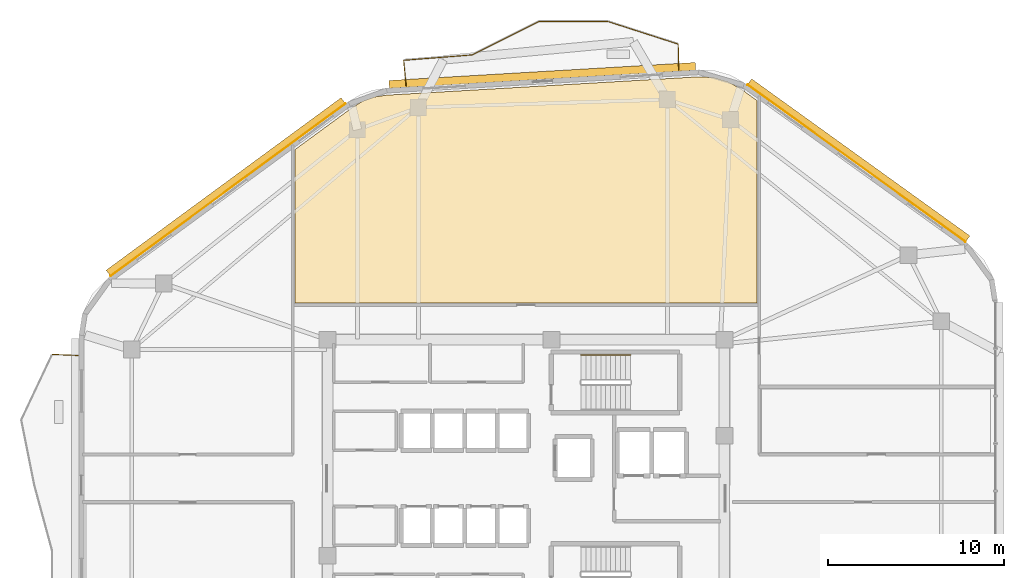
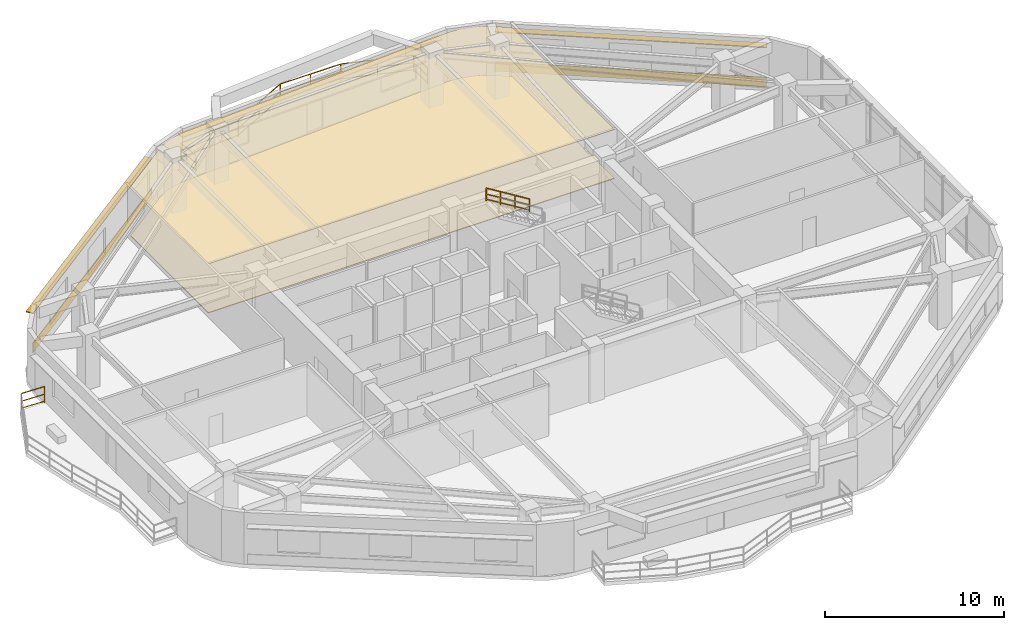
# One storey, part 14 of 14: 8 railings, 4 coverings, 3 shading devices.
"""IFC4 building model written with IfcOpenShell, lengths in metres."""

from ifc_helpers import new_model, si_unit, direction, frame, origin, origin_2d, place, context, subcontext, project, spatial, polyline, rectangle, outline, extrude, material, layer, layer_set, type_object, element, save


model = new_model("IFC4")

# Units and contexts
model_context = context("Model", 3, precision=1e-05, world=origin(), true_north=direction((0.0, 1.0)))
body_context = subcontext(model_context, "Body", "Model", "MODEL_VIEW")
ifc_project = project(units=[si_unit("LENGTHUNIT", "METRE"), si_unit("AREAUNIT", "SQUARE_METRE"), si_unit("VOLUMEUNIT", "CUBIC_METRE"), si_unit("PLANEANGLEUNIT", "RADIAN"), si_unit("MASSUNIT", "GRAM", prefix="KILO")], contexts=[model_context])

# Site, building, storey
site_placement = place(None, origin())
site = spatial("IfcSite", under=ifc_project, at=site_placement, CompositionType="ELEMENT")
building_placement = place(site_placement, origin())
building = spatial("IfcBuilding", under=site, at=building_placement, Name="Zulverin Broadcast Headquarters", CompositionType="ELEMENT")
storey_placement = place(building_placement, frame((0.0, 0.0, 201.0)))
storey = spatial("IfcBuildingStorey", under=building, at=storey_placement, Name="L51", CompositionType="ELEMENT", Elevation=201.0)

# Coverings
ifc_material_1 = material(Name="Perforated pale-metal acoustic baffle ceiling", Category="aluminium")
ifc_layer_1 = layer(ifc_material_1, 0.0400390625, Name="Perforated pale-metal acoustic baffle ceiling", Category="aluminium")
ifc_layer_set_1 = layer_set([ifc_layer_1], Name="Perforated pale-metal acoustic baffle ceiling")
covering_type_1 = type_object("IfcCoveringType", Name="COV-CEIL-ACOU", PredefinedType="CEILING", material=ifc_layer_set_1)
covering_1_placement = place(storey_placement, frame((0.0, 0.0, 3.360107421875)))
element("IfcCovering", 1, at=covering_1_placement, inside=storey, type_object=covering_type_1, Name="L51 Acoustic Baffle Ceiling 01", PredefinedType="CEILING", context=body_context, shape_type="SweptSolid", body=[
    extrude(outline(polyline([(47.676025390625, 47.968017578125), (46.840087890625, 48.01611328125), (29.075927734375, 46.971923828125), (28.3759765625, 46.864013671875), (27.73193359375, 46.632080078125), (27.1279296875, 46.26806640625), (23.8720703125, 43.8798828125), (23.8720703125, 35.172119140625), (50.132080078125, 35.172119140625), (50.132080078125, 46.659912109375), (49.196044921875, 47.33203125), (48.4599609375, 47.739990234375), (47.676025390625, 47.968017578125)])), origin(), (0.0, 0.0, 1.0), 0.039794921875),
])
ifc_material_2 = material(Name="Brushed pale-aluminium rainscreen cladding", Category="aluminium")
ifc_layer_2 = layer(ifc_material_2, 0.0400390625, Name="Brushed pale-aluminium rainscreen cladding", Category="aluminium")
ifc_layer_set_2 = layer_set([ifc_layer_2], Name="Brushed pale-aluminium rainscreen cladding")
covering_type_2 = type_object("IfcCoveringType", Name="COV-CLAD-PALE", PredefinedType="CLADDING", material=ifc_layer_set_2)
covering_2_placement = place(storey_placement, frame((55.7783203125, 43.099853515625, 0.054931640625), z_axis=(0.0, 0.0, 1.0), x_axis=(-0.811723852333, 0.58404142623, 0.0)))
element("IfcCovering", 2, at=covering_2_placement, inside=storey, type_object=covering_type_2, Name="L51 Brushed Pale-Aluminium Spandrel Cladding 4", PredefinedType="CLADDING", context=body_context, shape_type="SweptSolid", body=[
    extrude(rectangle(XDim=15.279296875, YDim=0.0400390625, at=origin_2d()), origin(), (0.0, 0.0, 1.0), 0.64990234375),
])
covering_3_placement = place(storey_placement, frame((20.062255859375, 41.5908203125, 0.054931640625), z_axis=(0.0, 0.0, 1.0), x_axis=(-0.806096670674, -0.591783877382, 0.0)))
element("IfcCovering", 3, at=covering_3_placement, inside=storey, type_object=covering_type_2, Name="L51 Brushed Pale-Aluminium Spandrel Cladding 6", PredefinedType="CLADDING", context=body_context, shape_type="SweptSolid", body=[
    extrude(rectangle(XDim=16.558837890625, YDim=0.0400390625, at=origin_2d()), origin(), (0.0, 0.0, 1.0), 0.64990234375),
])
ifc_material_3 = material(Name="Anti-static broadcast raised access flooring", Category="stone")
ifc_layer_3 = layer(ifc_material_3, 0.050048828125, Name="Anti-static broadcast raised access flooring", Category="stone")
ifc_layer_set_3 = layer_set([ifc_layer_3], Name="Anti-static broadcast raised access flooring")
covering_type_3 = type_object("IfcCoveringType", Name="COV-FLR-RAISED", PredefinedType="FLOORING", material=ifc_layer_set_3)
covering_4_placement = place(storey_placement, origin())
element("IfcCovering", 4, at=covering_4_placement, inside=storey, type_object=covering_type_3, Name="L51 Broadcast Raised Access Flooring 01", PredefinedType="FLOORING", context=body_context, shape_type="SweptSolid", body=[
    extrude(outline(polyline([(47.676025390625, 47.968017578125), (46.840087890625, 48.01611328125), (29.075927734375, 46.971923828125), (28.3759765625, 46.864013671875), (27.73193359375, 46.632080078125), (27.1279296875, 46.26806640625), (23.8720703125, 43.8798828125), (23.8720703125, 35.172119140625), (50.132080078125, 35.172119140625), (50.132080078125, 46.659912109375), (49.196044921875, 47.33203125), (48.4599609375, 47.739990234375), (47.676025390625, 47.968017578125)])), origin(), (0.0, 0.0, 1.0), 0.050048828125),
])

# Railings
ifc_material_4 = material(Name="Brushed stainless steel & laminated glass balustrade", Category="steel")
railing_type_1 = type_object("IfcRailingType", Name="RL-GUARD-1150", PredefinedType="GUARDRAIL", material=ifc_material_4)
railing_1_placement = place(storey_placement, frame((45.677734375, 48.388427734375, 0.0)))
element("IfcRailing", 5, at=railing_1_placement, inside=storey, type_object=railing_type_1, Name="L51 Vertical-Forest Balcony Guardrail BAL_N Segment 01", PredefinedType="GUARDRAIL", context=body_context, shape_type="SweptSolid", body=[
    extrude(rectangle(XDim=0.048095703125, YDim=0.048095703125, at=origin_2d()), frame((0.0, 0.0, 1.1259765625), z_axis=(-0.018318045163, 0.999832210534, 0.0), x_axis=(-0.999832210534, -0.018318045163, 0.0)), (0.0, 0.0, 1.0), 1.466064453125),
    extrude(rectangle(XDim=0.0419921875, YDim=0.0419921875, at=origin_2d()), frame((0.0, 0.0, 0.597900390625), z_axis=(-0.018318045163, 0.999832210534, 0.0), x_axis=(-0.999832210534, -0.018318045163, 0.0)), (0.0, 0.0, 1.0), 1.466064453125),
    extrude(rectangle(XDim=0.0419921875, YDim=0.0419921875, at=origin_2d()), frame((0.0, 0.0, 0.1201171875), z_axis=(-0.018318045163, 0.999832210534, 0.0), x_axis=(-0.999832210534, -0.018318045163, 0.0)), (0.0, 0.0, 1.0), 1.466064453125),
    extrude(rectangle(XDim=0.0419921875, YDim=0.0419921875, at=origin_2d()), origin(), (0.0, 0.0, 1.0), 1.101806640625),
    extrude(rectangle(XDim=0.0419921875, YDim=0.0419921875, at=origin_2d()), frame((-0.02685546875, 1.4658203125, 0.0)), (0.0, 0.0, 1.0), 1.101806640625),
])
railing_2_placement = place(storey_placement, frame((45.63623046875, 49.873779296875, 0.0)))
element("IfcRailing", 6, at=railing_2_placement, inside=storey, type_object=railing_type_1, Name="L51 Vertical-Forest Balcony Guardrail BAL_N Segment 02", PredefinedType="GUARDRAIL", context=body_context, shape_type="SweptSolid", body=[
    extrude(rectangle(XDim=0.048095703125, YDim=0.048095703125, at=origin_2d()), frame((0.0, 0.0, 1.1259765625), z_axis=(-0.951894201567, 0.306426873859, 0.0), x_axis=(-0.306426873859, -0.951894201567, 0.0)), (0.0, 0.0, 1.0), 4.162109375),
    extrude(rectangle(XDim=0.0419921875, YDim=0.0419921875, at=origin_2d()), frame((0.0, 0.0, 0.597900390625), z_axis=(-0.951894201567, 0.306426873859, 0.0), x_axis=(-0.306426873859, -0.951894201567, 0.0)), (0.0, 0.0, 1.0), 4.162109375),
    extrude(rectangle(XDim=0.0419921875, YDim=0.0419921875, at=origin_2d()), frame((0.0, 0.0, 0.1201171875), z_axis=(-0.951894201567, 0.306426873859, 0.0), x_axis=(-0.306426873859, -0.951894201567, 0.0)), (0.0, 0.0, 1.0), 4.162109375),
    extrude(rectangle(XDim=0.0419921875, YDim=0.0419921875, at=origin_2d()), origin(), (0.0, 0.0, 1.0), 1.101806640625),
    extrude(rectangle(XDim=0.0419921875, YDim=0.0419921875, at=origin_2d()), frame((-1.98095703125, 0.6376953125, 0.0)), (0.0, 0.0, 1.0), 1.101806640625),
    extrude(rectangle(XDim=0.0419921875, YDim=0.0419921875, at=origin_2d()), frame((-3.9619140625, 1.275390625, 0.0)), (0.0, 0.0, 1.0), 1.101806640625),
])
railing_3_placement = place(storey_placement, frame((41.64501953125, 51.15380859375, 0.0)))
element("IfcRailing", 7, at=railing_3_placement, inside=storey, type_object=railing_type_1, Name="L51 Vertical-Forest Balcony Guardrail BAL_N Segment 03", PredefinedType="GUARDRAIL", context=body_context, shape_type="SweptSolid", body=[
    extrude(rectangle(XDim=0.048095703125, YDim=0.048095703125, at=origin_2d()), frame((0.0, 0.0, 1.1259765625), z_axis=(-0.999997718014, 0.002136344481, 0.0), x_axis=(-0.002136344481, -0.999997718014, 0.0)), (0.0, 0.0, 1.0), 3.885498046875),
    extrude(rectangle(XDim=0.0419921875, YDim=0.0419921875, at=origin_2d()), frame((0.0, 0.0, 0.597900390625), z_axis=(-0.999997718014, 0.002136344481, 0.0), x_axis=(-0.002136344481, -0.999997718014, 0.0)), (0.0, 0.0, 1.0), 3.885498046875),
    extrude(rectangle(XDim=0.0419921875, YDim=0.0419921875, at=origin_2d()), frame((0.0, 0.0, 0.1201171875), z_axis=(-0.999997718014, 0.002136344481, 0.0), x_axis=(-0.002136344481, -0.999997718014, 0.0)), (0.0, 0.0, 1.0), 3.885498046875),
    extrude(rectangle(XDim=0.0419921875, YDim=0.0419921875, at=origin_2d()), origin(), (0.0, 0.0, 1.0), 1.101806640625),
    extrude(rectangle(XDim=0.0419921875, YDim=0.0419921875, at=origin_2d()), frame((-1.94287109375, 0.004150390625, 0.0)), (0.0, 0.0, 1.0), 1.101806640625),
    extrude(rectangle(XDim=0.0419921875, YDim=0.0419921875, at=origin_2d()), frame((-3.885498046875, 0.00830078125, 0.0)), (0.0, 0.0, 1.0), 1.101806640625),
])
railing_4_placement = place(storey_placement, frame((37.731201171875, 51.155517578125, 0.0)))
element("IfcRailing", 8, at=railing_4_placement, inside=storey, type_object=railing_type_1, Name="L51 Vertical-Forest Balcony Guardrail BAL_N Segment 04", PredefinedType="GUARDRAIL", context=body_context, shape_type="SweptSolid", body=[
    extrude(rectangle(XDim=0.048095703125, YDim=0.048095703125, at=origin_2d()), frame((0.0, 0.0, 1.1259765625), z_axis=(-0.894068513361, -0.447930232756, 0.0), x_axis=(0.447930232756, -0.894068513361, 0.0)), (0.0, 0.0, 1.0), 4.2236328125),
    extrude(rectangle(XDim=0.0419921875, YDim=0.0419921875, at=origin_2d()), frame((0.0, 0.0, 0.597900390625), z_axis=(-0.894068513361, -0.447930232756, 0.0), x_axis=(0.447930232756, -0.894068513361, 0.0)), (0.0, 0.0, 1.0), 4.2236328125),
    extrude(rectangle(XDim=0.0419921875, YDim=0.0419921875, at=origin_2d()), frame((0.0, 0.0, 0.1201171875), z_axis=(-0.894068513361, -0.447930232756, 0.0), x_axis=(0.447930232756, -0.894068513361, 0.0)), (0.0, 0.0, 1.0), 4.2236328125),
    extrude(rectangle(XDim=0.0419921875, YDim=0.0419921875, at=origin_2d()), origin(), (0.0, 0.0, 1.0), 1.101806640625),
    extrude(rectangle(XDim=0.0419921875, YDim=0.0419921875, at=origin_2d()), frame((-1.88818359375, -0.94580078125, 0.0)), (0.0, 0.0, 1.0), 1.101806640625),
    extrude(rectangle(XDim=0.0419921875, YDim=0.0419921875, at=origin_2d()), frame((-3.776123046875, -1.891845703125, 0.0)), (0.0, 0.0, 1.0), 1.101806640625),
])
railing_5_placement = place(storey_placement, frame((33.926513671875, 49.255859375, 0.0)))
element("IfcRailing", 9, at=railing_5_placement, inside=storey, type_object=railing_type_1, Name="L51 Vertical-Forest Balcony Guardrail BAL_N Segment 05", PredefinedType="GUARDRAIL", context=body_context, shape_type="SweptSolid", body=[
    extrude(rectangle(XDim=0.048095703125, YDim=0.048095703125, at=origin_2d()), frame((0.0, 0.0, 1.1259765625), z_axis=(-0.996934817214, -0.078236629699, 0.0), x_axis=(0.078236629699, -0.996934817214, 0.0)), (0.0, 0.0, 1.0), 3.87890625),
    extrude(rectangle(XDim=0.0419921875, YDim=0.0419921875, at=origin_2d()), frame((0.0, 0.0, 0.597900390625), z_axis=(-0.996934817214, -0.078236629699, 0.0), x_axis=(0.078236629699, -0.996934817214, 0.0)), (0.0, 0.0, 1.0), 3.87890625),
    extrude(rectangle(XDim=0.0419921875, YDim=0.0419921875, at=origin_2d()), frame((0.0, 0.0, 0.1201171875), z_axis=(-0.996934817214, -0.078236629699, 0.0), x_axis=(0.078236629699, -0.996934817214, 0.0)), (0.0, 0.0, 1.0), 3.87890625),
    extrude(rectangle(XDim=0.0419921875, YDim=0.0419921875, at=origin_2d()), origin(), (0.0, 0.0, 1.0), 1.101806640625),
    extrude(rectangle(XDim=0.0419921875, YDim=0.0419921875, at=origin_2d()), frame((-1.93359375, -0.15185546875, 0.0)), (0.0, 0.0, 1.0), 1.101806640625),
    extrude(rectangle(XDim=0.0419921875, YDim=0.0419921875, at=origin_2d()), frame((-3.866943359375, -0.303466796875, 0.0)), (0.0, 0.0, 1.0), 1.101806640625),
])
railing_6_placement = place(storey_placement, frame((30.0458984375, 48.936279296875, 0.0)))
element("IfcRailing", 10, at=railing_6_placement, inside=storey, type_object=railing_type_1, Name="L51 Vertical-Forest Balcony Guardrail BAL_N Segment 06", PredefinedType="GUARDRAIL", context=body_context, shape_type="SweptSolid", body=[
    extrude(rectangle(XDim=0.048095703125, YDim=0.048095703125, at=origin_2d()), frame((0.0, 0.0, 1.1259765625), z_axis=(0.099256382944, -0.995061892771, 0.0), x_axis=(0.995061892771, 0.099256382944, 0.0)), (0.0, 0.0, 1.0), 1.466064453125),
    extrude(rectangle(XDim=0.0419921875, YDim=0.0419921875, at=origin_2d()), frame((0.0, 0.0, 0.597900390625), z_axis=(0.099256382944, -0.995061892771, 0.0), x_axis=(0.995061892771, 0.099256382944, 0.0)), (0.0, 0.0, 1.0), 1.466064453125),
    extrude(rectangle(XDim=0.0419921875, YDim=0.0419921875, at=origin_2d()), frame((0.0, 0.0, 0.1201171875), z_axis=(0.099256382944, -0.995061892771, 0.0), x_axis=(0.995061892771, 0.099256382944, 0.0)), (0.0, 0.0, 1.0), 1.466064453125),
    extrude(rectangle(XDim=0.0419921875, YDim=0.0419921875, at=origin_2d()), origin(), (0.0, 0.0, 1.0), 1.101806640625),
    extrude(rectangle(XDim=0.0419921875, YDim=0.0419921875, at=origin_2d()), frame((0.1455078125, -1.458740234375, 0.0)), (0.0, 0.0, 1.0), 1.101806640625),
])
railing_7_placement = place(storey_placement, frame((11.56005859375, 32.180419921875, 0.0)))
element("IfcRailing", 11, at=railing_7_placement, inside=storey, type_object=railing_type_1, Name="L51 Vertical-Forest Balcony Guardrail BAL_W Segment 01", PredefinedType="GUARDRAIL", context=body_context, shape_type="SweptSolid", body=[
    extrude(rectangle(XDim=0.048095703125, YDim=0.048095703125, at=origin_2d()), frame((0.0, 0.0, 1.1259765625), z_axis=(-0.999181155166, 0.040460093435, 0.0), x_axis=(-0.040460093435, -0.999181155166, 0.0)), (0.0, 0.0, 1.0), 1.46630859375),
    extrude(rectangle(XDim=0.0419921875, YDim=0.0419921875, at=origin_2d()), frame((0.0, 0.0, 0.597900390625), z_axis=(-0.999181155166, 0.040460093435, 0.0), x_axis=(-0.040460093435, -0.999181155166, 0.0)), (0.0, 0.0, 1.0), 1.46630859375),
    extrude(rectangle(XDim=0.0419921875, YDim=0.0419921875, at=origin_2d()), frame((0.0, 0.0, 0.1201171875), z_axis=(-0.999181155166, 0.040460093435, 0.0), x_axis=(-0.040460093435, -0.999181155166, 0.0)), (0.0, 0.0, 1.0), 1.46630859375),
    extrude(rectangle(XDim=0.0419921875, YDim=0.0419921875, at=origin_2d()), origin(), (0.0, 0.0, 1.0), 1.101806640625),
    extrude(rectangle(XDim=0.0419921875, YDim=0.0419921875, at=origin_2d()), frame((-1.465087890625, 0.059326171875, 0.0)), (0.0, 0.0, 1.0), 1.101806640625),
])
ifc_material_5 = material(Name="Brushed stainless steel 48 mm handrail", Category="steel")
railing_type_2 = type_object("IfcRailingType", Name="RL-ST-HAND", PredefinedType="HANDRAIL", material=ifc_material_5)
railing_8_placement = place(storey_placement, frame((42.929931640625, 32.199951171875, 2.07275390625)))
element("IfcRailing", 12, at=railing_8_placement, inside=storey, type_object=railing_type_2, Name="L51 ST-1 stair handrail 2", PredefinedType="HANDRAIL", context=body_context, shape_type="SweptSolid", body=[
    extrude(rectangle(XDim=0.048095703125, YDim=0.048095703125, at=origin_2d()), frame((0.0, 0.0, 0.8759765625), z_axis=(-0.851089632645, 0.0, 0.525020415988), x_axis=(0.0, -1.0, 0.0)), (0.0, 0.0, 1.0), 3.2900390625),
    extrude(rectangle(XDim=0.0419921875, YDim=0.0419921875, at=origin_2d()), frame((0.0, 0.0, 0.468017578125), z_axis=(-0.851089632645, 0.0, 0.525020415988), x_axis=(0.0, -1.0, 0.0)), (0.0, 0.0, 1.0), 3.2900390625),
    extrude(rectangle(XDim=0.0419921875, YDim=0.0419921875, at=origin_2d()), frame((0.0, 0.0, 0.1201171875), z_axis=(-0.851089632645, 0.0, 0.525020415988), x_axis=(0.0, -1.0, 0.0)), (0.0, 0.0, 1.0), 3.2900390625),
    extrude(rectangle(XDim=0.0419921875, YDim=0.0419921875, at=origin_2d()), origin(), (0.0, 0.0, 1.0), 0.851806640625),
    extrude(rectangle(XDim=0.0419921875, YDim=0.0419921875, at=origin_2d()), frame((-0.933349609375, 0.0, 0.57568359375)), (0.0, 0.0, 1.0), 0.851806640625),
    extrude(rectangle(XDim=0.0419921875, YDim=0.0419921875, at=origin_2d()), frame((-1.86669921875, 0.0, 1.151611328125)), (0.0, 0.0, 1.0), 0.851806640625),
    extrude(rectangle(XDim=0.0419921875, YDim=0.0419921875, at=origin_2d()), frame((-2.800048828125, 0.0, 1.727294921875)), (0.0, 0.0, 1.0), 0.851806640625),
])

# Shading devices
ifc_material_6 = material(Name="Anodized pale-metal aluminium sunshade", Category="aluminium")
ifc_layer_4 = layer(ifc_material_6, 0.06005859375, Name="Anodized pale-metal aluminium sunshade", Category="aluminium")
ifc_layer_set_4 = layer_set([ifc_layer_4], Name="Anodized pale-metal aluminium sunshade")
shading_device_type = type_object("IfcShadingDeviceType", Name="SS-01_PALE_METAL_ALUMINIUM_SUNSHADE", PredefinedType="USERDEFINED", material=ifc_layer_set_4)
shading_device_1_placement = place(storey_placement, frame((55.889404296875, 43.254150390625, 2.7099609375), z_axis=(0.0, 0.0, 1.0), x_axis=(-0.811723852333, 0.58404142623, 0.0)))
element("IfcShadingDevice", 13, at=shading_device_1_placement, inside=storey, type_object=shading_device_type, Name="L51 Horizontal Pale-Metal Sunshade Band 4", ObjectType="SUNSHADE", PredefinedType="USERDEFINED", context=body_context, shape_type="SweptSolid", body=[
    extrude(rectangle(XDim=15.279296875, YDim=0.449951171875, at=origin_2d()), origin(), (0.0, 0.0, 1.0), 0.06005859375),
])
shading_device_2_placement = place(storey_placement, frame((37.925048828125, 48.0927734375, 2.7099609375), z_axis=(0.0, 0.0, 1.0), x_axis=(-0.998274332859, -0.058722707319, 0.0)))
element("IfcShadingDevice", 14, at=shading_device_2_placement, inside=storey, type_object=shading_device_type, Name="L51 Horizontal Pale-Metal Sunshade Band 5", ObjectType="SUNSHADE", PredefinedType="USERDEFINED", context=body_context, shape_type="SweptSolid", body=[
    extrude(rectangle(XDim=17.43310546875, YDim=0.449951171875, at=origin_2d()), origin(), (0.0, 0.0, 1.0), 0.06005859375),
])
shading_device_3_placement = place(storey_placement, frame((19.94970703125, 41.743896484375, 2.7099609375), z_axis=(0.0, 0.0, 1.0), x_axis=(-0.806096670674, -0.591783877382, 0.0)))
element("IfcShadingDevice", 15, at=shading_device_3_placement, inside=storey, type_object=shading_device_type, Name="L51 Horizontal Pale-Metal Sunshade Band 6", ObjectType="SUNSHADE", PredefinedType="USERDEFINED", context=body_context, shape_type="SweptSolid", body=[
    extrude(rectangle(XDim=16.558837890625, YDim=0.449951171875, at=origin_2d()), origin(), (0.0, 0.0, 1.0), 0.06005859375),
])

save(model, "model.ifc")
